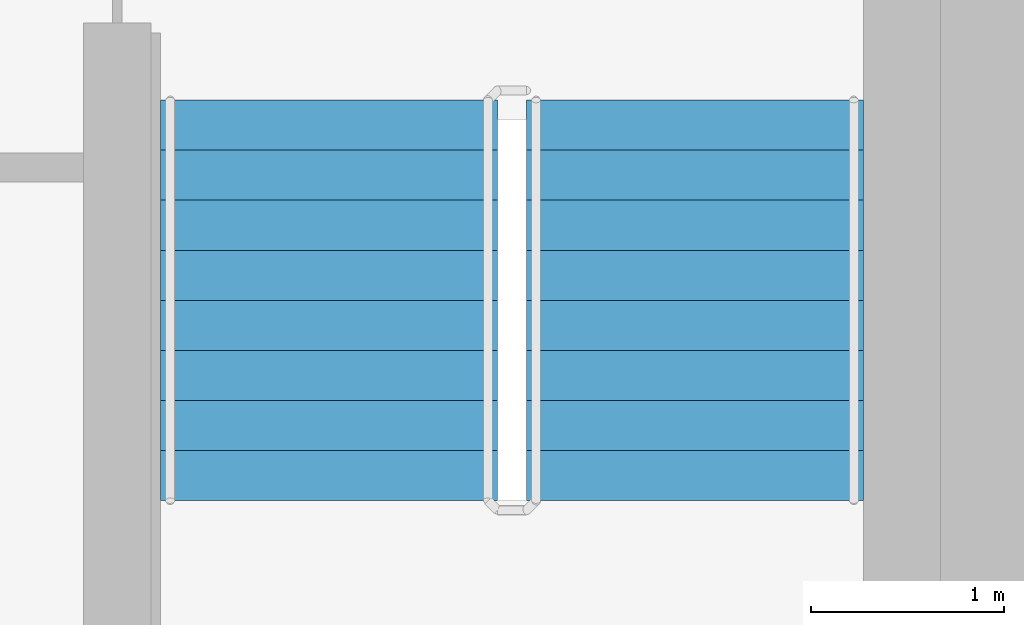
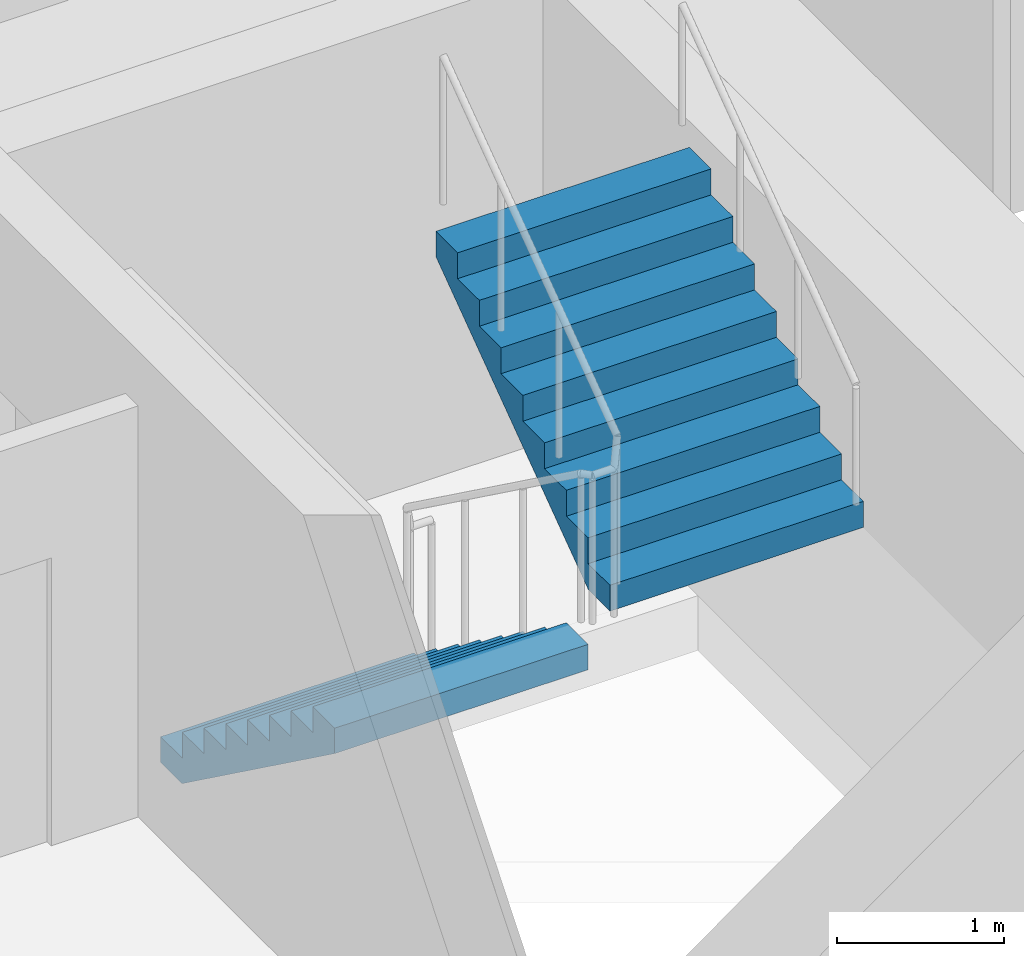
# One storey, part 14 of 18: 2 stair flights, 1 element without a shape of its own.
"""IFC4 building model written with IfcOpenShell, lengths in metres."""

from ifc_helpers import new_model, si_unit, direction, frame, origin, place, context, subcontext, project, spatial, faceted_brep, material, type_object, element, aggregate, save


model = new_model("IFC4")

# Units and contexts
model_context = context("Model", 3, precision=1e-05, world=origin(), true_north=direction((0.0, 1.0)))
body_context = subcontext(model_context, "Body", "Model", "MODEL_VIEW")
ifc_project = project(units=[si_unit("LENGTHUNIT", "METRE"), si_unit("AREAUNIT", "SQUARE_METRE"), si_unit("VOLUMEUNIT", "CUBIC_METRE"), si_unit("PLANEANGLEUNIT", "RADIAN"), si_unit("MASSUNIT", "GRAM", prefix="KILO")], contexts=[model_context])

# Site, building, storey
site_placement = place(None, origin())
site = spatial("IfcSite", under=ifc_project, at=site_placement, CompositionType="ELEMENT")
building_placement = place(site_placement, origin())
building = spatial("IfcBuilding", under=site, at=building_placement, Name="Ipe Terrace Towers", CompositionType="ELEMENT")
storey_placement = place(building_placement, frame((0.0, 0.0, 177.89990234375)))
storey = spatial("IfcBuildingStorey", under=building, at=storey_placement, Name="L49", CompositionType="ELEMENT", Elevation=177.89990234375)

# Stair, stair flights
ifc_material_1 = material(Name="Concrete C30/37", Category="concrete")
stair_type = type_object("IfcStairType", Name="Protected exit stair", PredefinedType="HALF_TURN_STAIR", material=ifc_material_1)
stair_placement = place(storey_placement, origin())
stair = element("IfcStair", 1, at=stair_placement, inside=storey, type_object=stair_type, Name="L49 Exit stair T2-C2", PredefinedType="HALF_TURN_STAIR")
ifc_material_2 = material(Name="Concrete C30/37", Category="concrete")
stair_flight_type = type_object("IfcStairFlightType", Name="Exit stair flight 1750", PredefinedType="STRAIGHT", material=ifc_material_2)
stair_flight_1_placement = place(storey_placement, frame((38.77490234375, -9.699951171875, 0.0), z_axis=(0.0, 0.0, 1.0), x_axis=(0.0, -1.0, 0.0)))
stair_flight_1 = element("IfcStairFlight", 2, at=stair_flight_1_placement, type_object=stair_flight_type, Name="T2-ST2 flight 1", NumberOfRisers=9, NumberOfTreads=8, PredefinedType="STRAIGHT", RiserHeight=0.188888889, TreadLength=0.26, context=body_context, shape_type="Brep", body=[
    faceted_brep([(0.255126953125, -0.875, 0.0), (2.080078125, -0.875, 1.325927734375), (2.080078125, -0.875, 1.51123046875), (1.820068359375, -0.875, 1.51123046875), (1.820068359375, -0.875, 1.322265625), (1.56005859375, -0.875, 1.322265625), (1.56005859375, -0.875, 1.13330078125), (1.300048828125, -0.875, 1.13330078125), (1.300048828125, -0.875, 0.9443359375), (1.0400390625, -0.875, 0.9443359375), (1.0400390625, -0.875, 0.755615234375), (0.780029296875, -0.875, 0.755615234375), (0.780029296875, -0.875, 0.566650390625), (0.52001953125, -0.875, 0.566650390625), (0.52001953125, -0.875, 0.377685546875), (0.260009765625, -0.875, 0.377685546875), (0.260009765625, -0.875, 0.18896484375), (0.0, -0.875, 0.18896484375), (0.0, -0.875, 0.0), (0.0, 0.875, 0.0), (0.0, 0.875, 0.18896484375), (0.260009765625, 0.875, 0.18896484375), (0.260009765625, 0.875, 0.377685546875), (0.52001953125, 0.875, 0.377685546875), (0.52001953125, 0.875, 0.566650390625), (0.780029296875, 0.875, 0.566650390625), (0.780029296875, 0.875, 0.755615234375), (1.0400390625, 0.875, 0.755615234375), (1.0400390625, 0.875, 0.9443359375), (1.300048828125, 0.875, 0.9443359375), (1.300048828125, 0.875, 1.13330078125), (1.56005859375, 0.875, 1.13330078125), (1.56005859375, 0.875, 1.322265625), (1.820068359375, 0.875, 1.322265625), (1.820068359375, 0.875, 1.51123046875), (2.080078125, 0.875, 1.51123046875), (2.080078125, 0.875, 1.325927734375), (0.255126953125, 0.875, 0.0), (0.0, -0.300048828125, 0.18896484375), (0.0, -0.1201171875, 0.18896484375), (0.0, -0.06005859375, 0.18896484375), (0.0, -0.030029296875, 0.18896484375), (0.0, -0.010009765625, 0.18896484375), (0.0, 0.0, 0.18896484375), (0.0, 0.010009765625, 0.18896484375), (0.0, 0.030029296875, 0.18896484375), (0.0, 0.06005859375, 0.18896484375), (0.0, 0.1201171875, 0.18896484375), (0.0, 0.300048828125, 0.18896484375), (0.0, 0.300048828125, 0.0), (0.0, 0.1201171875, 0.0), (0.0, 0.06005859375, 0.0), (0.0, 0.030029296875, 0.0), (0.0, 0.010009765625, 0.0), (0.0, 0.0, 0.0), (0.0, -0.010009765625, 0.0), (0.0, -0.030029296875, 0.0), (0.0, -0.06005859375, 0.0), (0.0, -0.1201171875, 0.0), (0.0, -0.300048828125, 0.0), (0.260009765625, -0.300048828125, 0.18896484375), (0.260009765625, -0.1201171875, 0.18896484375), (0.260009765625, -0.06005859375, 0.18896484375), (0.260009765625, -0.030029296875, 0.18896484375), (0.260009765625, -0.010009765625, 0.18896484375), (0.260009765625, 0.0, 0.18896484375), (0.260009765625, 0.010009765625, 0.18896484375), (0.260009765625, 0.030029296875, 0.18896484375), (0.260009765625, 0.06005859375, 0.18896484375), (0.260009765625, 0.1201171875, 0.18896484375), (0.260009765625, 0.300048828125, 0.18896484375), (0.260009765625, -0.300048828125, 0.377685546875), (0.260009765625, -0.1201171875, 0.377685546875), (0.260009765625, -0.06005859375, 0.377685546875), (0.260009765625, -0.030029296875, 0.377685546875), (0.260009765625, -0.010009765625, 0.377685546875), (0.260009765625, 0.0, 0.377685546875), (0.260009765625, 0.010009765625, 0.377685546875), (0.260009765625, 0.030029296875, 0.377685546875), (0.260009765625, 0.06005859375, 0.377685546875), (0.260009765625, 0.1201171875, 0.377685546875), (0.260009765625, 0.300048828125, 0.377685546875), (0.52001953125, -0.300048828125, 0.377685546875), (0.52001953125, -0.1201171875, 0.377685546875), (0.52001953125, -0.06005859375, 0.377685546875), (0.52001953125, -0.030029296875, 0.377685546875), (0.52001953125, -0.010009765625, 0.377685546875), (0.52001953125, 0.0, 0.377685546875), (0.52001953125, 0.010009765625, 0.377685546875), (0.52001953125, 0.030029296875, 0.377685546875), (0.52001953125, 0.06005859375, 0.377685546875), (0.52001953125, 0.1201171875, 0.377685546875), (0.52001953125, 0.300048828125, 0.377685546875), (0.52001953125, -0.300048828125, 0.566650390625), (0.52001953125, -0.1201171875, 0.566650390625), (0.52001953125, -0.06005859375, 0.566650390625), (0.52001953125, -0.030029296875, 0.566650390625), (0.52001953125, -0.010009765625, 0.566650390625), (0.52001953125, 0.0, 0.566650390625), (0.52001953125, 0.010009765625, 0.566650390625), (0.52001953125, 0.030029296875, 0.566650390625), (0.52001953125, 0.06005859375, 0.566650390625), (0.52001953125, 0.1201171875, 0.566650390625), (0.52001953125, 0.300048828125, 0.566650390625), (0.780029296875, -0.300048828125, 0.566650390625), (0.780029296875, -0.1201171875, 0.566650390625), (0.780029296875, -0.06005859375, 0.566650390625), (0.780029296875, -0.030029296875, 0.566650390625), (0.780029296875, -0.010009765625, 0.566650390625), (0.780029296875, 0.0, 0.566650390625), (0.780029296875, 0.010009765625, 0.566650390625), (0.780029296875, 0.030029296875, 0.566650390625), (0.780029296875, 0.06005859375, 0.566650390625), (0.780029296875, 0.1201171875, 0.566650390625), (0.780029296875, 0.300048828125, 0.566650390625), (0.780029296875, -0.300048828125, 0.755615234375), (0.780029296875, -0.1201171875, 0.755615234375), (0.780029296875, -0.06005859375, 0.755615234375), (0.780029296875, -0.030029296875, 0.755615234375), (0.780029296875, -0.010009765625, 0.755615234375), (0.780029296875, 0.0, 0.755615234375), (0.780029296875, 0.010009765625, 0.755615234375), (0.780029296875, 0.030029296875, 0.755615234375), (0.780029296875, 0.06005859375, 0.755615234375), (0.780029296875, 0.1201171875, 0.755615234375), (0.780029296875, 0.300048828125, 0.755615234375), (1.0400390625, -0.300048828125, 0.755615234375), (1.0400390625, -0.1201171875, 0.755615234375), (1.0400390625, -0.06005859375, 0.755615234375), (1.0400390625, -0.030029296875, 0.755615234375), (1.0400390625, -0.010009765625, 0.755615234375), (1.0400390625, 0.0, 0.755615234375), (1.0400390625, 0.010009765625, 0.755615234375), (1.0400390625, 0.030029296875, 0.755615234375), (1.0400390625, 0.06005859375, 0.755615234375), (1.0400390625, 0.1201171875, 0.755615234375), (1.0400390625, 0.300048828125, 0.755615234375), (1.0400390625, -0.300048828125, 0.9443359375), (1.0400390625, -0.1201171875, 0.9443359375), (1.0400390625, -0.06005859375, 0.9443359375), (1.0400390625, -0.030029296875, 0.9443359375), (1.0400390625, -0.010009765625, 0.9443359375), (1.0400390625, 0.0, 0.9443359375), (1.0400390625, 0.010009765625, 0.9443359375), (1.0400390625, 0.030029296875, 0.9443359375), (1.0400390625, 0.06005859375, 0.9443359375), (1.0400390625, 0.1201171875, 0.9443359375), (1.0400390625, 0.300048828125, 0.9443359375), (1.300048828125, -0.300048828125, 0.9443359375), (1.300048828125, -0.1201171875, 0.9443359375), (1.300048828125, -0.06005859375, 0.9443359375), (1.300048828125, -0.030029296875, 0.9443359375), (1.300048828125, -0.010009765625, 0.9443359375), (1.300048828125, 0.0, 0.9443359375), (1.300048828125, 0.010009765625, 0.9443359375), (1.300048828125, 0.030029296875, 0.9443359375), (1.300048828125, 0.06005859375, 0.9443359375), (1.300048828125, 0.1201171875, 0.9443359375), (1.300048828125, 0.300048828125, 0.9443359375), (1.300048828125, -0.300048828125, 1.13330078125), (1.300048828125, -0.1201171875, 1.13330078125), (1.300048828125, -0.06005859375, 1.13330078125), (1.300048828125, -0.030029296875, 1.13330078125), (1.300048828125, -0.010009765625, 1.13330078125), (1.300048828125, 0.0, 1.13330078125), (1.300048828125, 0.010009765625, 1.13330078125), (1.300048828125, 0.030029296875, 1.13330078125), (1.300048828125, 0.06005859375, 1.13330078125), (1.300048828125, 0.1201171875, 1.13330078125), (1.300048828125, 0.300048828125, 1.13330078125), (1.56005859375, -0.300048828125, 1.13330078125), (1.56005859375, -0.1201171875, 1.13330078125), (1.56005859375, -0.06005859375, 1.13330078125), (1.56005859375, -0.030029296875, 1.13330078125), (1.56005859375, -0.010009765625, 1.13330078125), (1.56005859375, 0.0, 1.13330078125), (1.56005859375, 0.010009765625, 1.13330078125), (1.56005859375, 0.030029296875, 1.13330078125), (1.56005859375, 0.06005859375, 1.13330078125), (1.56005859375, 0.1201171875, 1.13330078125), (1.56005859375, 0.300048828125, 1.13330078125), (1.56005859375, -0.300048828125, 1.322265625), (1.56005859375, -0.1201171875, 1.322265625), (1.56005859375, -0.06005859375, 1.322265625), (1.56005859375, -0.030029296875, 1.322265625), (1.56005859375, -0.010009765625, 1.322265625), (1.56005859375, 0.0, 1.322265625), (1.56005859375, 0.010009765625, 1.322265625), (1.56005859375, 0.030029296875, 1.322265625), (1.56005859375, 0.06005859375, 1.322265625), (1.56005859375, 0.1201171875, 1.322265625), (1.56005859375, 0.300048828125, 1.322265625), (1.820068359375, -0.300048828125, 1.322265625), (1.820068359375, -0.1201171875, 1.322265625), (1.820068359375, -0.06005859375, 1.322265625), (1.820068359375, -0.030029296875, 1.322265625), (1.820068359375, -0.010009765625, 1.322265625), (1.820068359375, 0.0, 1.322265625), (1.820068359375, 0.010009765625, 1.322265625), (1.820068359375, 0.030029296875, 1.322265625), (1.820068359375, 0.06005859375, 1.322265625), (1.820068359375, 0.1201171875, 1.322265625), (1.820068359375, 0.300048828125, 1.322265625), (1.820068359375, -0.300048828125, 1.51123046875), (1.820068359375, -0.1201171875, 1.51123046875), (1.820068359375, -0.06005859375, 1.51123046875), (1.820068359375, -0.030029296875, 1.51123046875), (1.820068359375, -0.010009765625, 1.51123046875), (1.820068359375, 0.0, 1.51123046875), (1.820068359375, 0.010009765625, 1.51123046875), (1.820068359375, 0.030029296875, 1.51123046875), (1.820068359375, 0.06005859375, 1.51123046875), (1.820068359375, 0.1201171875, 1.51123046875), (1.820068359375, 0.300048828125, 1.51123046875), (2.080078125, -0.300048828125, 1.51123046875), (2.080078125, -0.1201171875, 1.51123046875), (2.080078125, -0.06005859375, 1.51123046875), (2.080078125, -0.030029296875, 1.51123046875), (2.080078125, -0.010009765625, 1.51123046875), (2.080078125, 0.0, 1.51123046875), (2.080078125, 0.010009765625, 1.51123046875), (2.080078125, 0.030029296875, 1.51123046875), (2.080078125, 0.06005859375, 1.51123046875), (2.080078125, 0.1201171875, 1.51123046875), (2.080078125, 0.300048828125, 1.51123046875), (2.080078125, -0.300048828125, 1.325927734375), (2.080078125, -0.1201171875, 1.325927734375), (2.080078125, -0.06005859375, 1.325927734375), (2.080078125, -0.030029296875, 1.325927734375), (2.080078125, -0.010009765625, 1.325927734375), (2.080078125, 0.0, 1.325927734375), (2.080078125, 0.010009765625, 1.325927734375), (2.080078125, 0.030029296875, 1.325927734375), (2.080078125, 0.06005859375, 1.325927734375), (2.080078125, 0.1201171875, 1.325927734375), (2.080078125, 0.300048828125, 1.325927734375), (0.255126953125, -0.300048828125, 0.0), (0.255126953125, -0.1201171875, 0.0), (0.255126953125, -0.06005859375, 0.0), (0.255126953125, -0.030029296875, 0.0), (0.255126953125, -0.010009765625, 0.0), (0.255126953125, 0.0, 0.0), (0.255126953125, 0.010009765625, 0.0), (0.255126953125, 0.030029296875, 0.0), (0.255126953125, 0.06005859375, 0.0), (0.255126953125, 0.1201171875, 0.0), (0.255126953125, 0.300048828125, 0.0)], [[[0, 1, 2, 3, 4, 5, 6, 7, 8, 9, 10, 11, 12, 13, 14, 15, 16, 17, 18]], [[19, 20, 21, 22, 23, 24, 25, 26, 27, 28, 29, 30, 31, 32, 33, 34, 35, 36, 37]], [[17, 38, 39, 40, 41, 42, 43, 44, 45, 46, 47, 48, 20, 19, 49, 50, 51, 52, 53, 54, 55, 56, 57, 58, 59, 18]], [[16, 60, 61, 62, 63, 64, 65, 66, 67, 68, 69, 70, 21, 20, 48, 47, 46, 45, 44, 43, 42, 41, 40, 39, 38, 17]], [[15, 71, 72, 73, 74, 75, 76, 77, 78, 79, 80, 81, 22, 21, 70, 69, 68, 67, 66, 65, 64, 63, 62, 61, 60, 16]], [[14, 82, 83, 84, 85, 86, 87, 88, 89, 90, 91, 92, 23, 22, 81, 80, 79, 78, 77, 76, 75, 74, 73, 72, 71, 15]], [[13, 93, 94, 95, 96, 97, 98, 99, 100, 101, 102, 103, 24, 23, 92, 91, 90, 89, 88, 87, 86, 85, 84, 83, 82, 14]], [[12, 104, 105, 106, 107, 108, 109, 110, 111, 112, 113, 114, 25, 24, 103, 102, 101, 100, 99, 98, 97, 96, 95, 94, 93, 13]], [[11, 115, 116, 117, 118, 119, 120, 121, 122, 123, 124, 125, 26, 25, 114, 113, 112, 111, 110, 109, 108, 107, 106, 105, 104, 12]], [[10, 126, 127, 128, 129, 130, 131, 132, 133, 134, 135, 136, 27, 26, 125, 124, 123, 122, 121, 120, 119, 118, 117, 116, 115, 11]], [[9, 137, 138, 139, 140, 141, 142, 143, 144, 145, 146, 147, 28, 27, 136, 135, 134, 133, 132, 131, 130, 129, 128, 127, 126, 10]], [[8, 148, 149, 150, 151, 152, 153, 154, 155, 156, 157, 158, 29, 28, 147, 146, 145, 144, 143, 142, 141, 140, 139, 138, 137, 9]], [[7, 159, 160, 161, 162, 163, 164, 165, 166, 167, 168, 169, 30, 29, 158, 157, 156, 155, 154, 153, 152, 151, 150, 149, 148, 8]], [[6, 170, 171, 172, 173, 174, 175, 176, 177, 178, 179, 180, 31, 30, 169, 168, 167, 166, 165, 164, 163, 162, 161, 160, 159, 7]], [[5, 181, 182, 183, 184, 185, 186, 187, 188, 189, 190, 191, 32, 31, 180, 179, 178, 177, 176, 175, 174, 173, 172, 171, 170, 6]], [[4, 192, 193, 194, 195, 196, 197, 198, 199, 200, 201, 202, 33, 32, 191, 190, 189, 188, 187, 186, 185, 184, 183, 182, 181, 5]], [[3, 203, 204, 205, 206, 207, 208, 209, 210, 211, 212, 213, 34, 33, 202, 201, 200, 199, 198, 197, 196, 195, 194, 193, 192, 4]], [[2, 214, 215, 216, 217, 218, 219, 220, 221, 222, 223, 224, 35, 34, 213, 212, 211, 210, 209, 208, 207, 206, 205, 204, 203, 3]], [[1, 225, 226, 227, 228, 229, 230, 231, 232, 233, 234, 235, 36, 35, 224, 223, 222, 221, 220, 219, 218, 217, 216, 215, 214, 2]], [[0, 236, 237, 238, 239, 240, 241, 242, 243, 244, 245, 246, 37, 36, 235, 234, 233, 232, 231, 230, 229, 228, 227, 226, 225, 1]], [[18, 59, 58, 57, 56, 55, 54, 53, 52, 51, 50, 49, 19, 37, 246, 245, 244, 243, 242, 241, 240, 239, 238, 237, 236, 0]]]),
])
stair_flight_2_placement = place(storey_placement, frame((40.675048828125, -11.780029296875, 1.7001953125), z_axis=(0.0, 0.0, 1.0), x_axis=(0.0, 1.0, 0.0)))
stair_flight_2 = element("IfcStairFlight", 3, at=stair_flight_2_placement, type_object=stair_flight_type, Name="T2-ST2 flight 2", NumberOfRisers=9, NumberOfTreads=8, PredefinedType="STRAIGHT", RiserHeight=0.188888889, TreadLength=0.26, context=body_context, shape_type="Brep", body=[
    faceted_brep([(0.255126953125, -0.875, 0.0), (2.080078125, -0.875, 1.325927734375), (2.080078125, -0.875, 1.51123046875), (1.820068359375, -0.875, 1.51123046875), (1.820068359375, -0.875, 1.322265625), (1.56005859375, -0.875, 1.322265625), (1.56005859375, -0.875, 1.13330078125), (1.300048828125, -0.875, 1.13330078125), (1.300048828125, -0.875, 0.9443359375), (1.0400390625, -0.875, 0.9443359375), (1.0400390625, -0.875, 0.755615234375), (0.780029296875, -0.875, 0.755615234375), (0.780029296875, -0.875, 0.566650390625), (0.52001953125, -0.875, 0.566650390625), (0.52001953125, -0.875, 0.377685546875), (0.260009765625, -0.875, 0.377685546875), (0.260009765625, -0.875, 0.18896484375), (0.0, -0.875, 0.18896484375), (0.0, -0.875, 0.0), (0.0, 0.875, 0.0), (0.0, 0.875, 0.18896484375), (0.260009765625, 0.875, 0.18896484375), (0.260009765625, 0.875, 0.377685546875), (0.52001953125, 0.875, 0.377685546875), (0.52001953125, 0.875, 0.566650390625), (0.780029296875, 0.875, 0.566650390625), (0.780029296875, 0.875, 0.755615234375), (1.0400390625, 0.875, 0.755615234375), (1.0400390625, 0.875, 0.9443359375), (1.300048828125, 0.875, 0.9443359375), (1.300048828125, 0.875, 1.13330078125), (1.56005859375, 0.875, 1.13330078125), (1.56005859375, 0.875, 1.322265625), (1.820068359375, 0.875, 1.322265625), (1.820068359375, 0.875, 1.51123046875), (2.080078125, 0.875, 1.51123046875), (2.080078125, 0.875, 1.325927734375), (0.255126953125, 0.875, 0.0), (0.0, -0.300048828125, 0.18896484375), (0.0, -0.1201171875, 0.18896484375), (0.0, -0.06005859375, 0.18896484375), (0.0, -0.030029296875, 0.18896484375), (0.0, -0.010009765625, 0.18896484375), (0.0, 0.0, 0.18896484375), (0.0, 0.010009765625, 0.18896484375), (0.0, 0.030029296875, 0.18896484375), (0.0, 0.06005859375, 0.18896484375), (0.0, 0.1201171875, 0.18896484375), (0.0, 0.300048828125, 0.18896484375), (0.0, 0.300048828125, 0.0), (0.0, 0.1201171875, 0.0), (0.0, 0.06005859375, 0.0), (0.0, 0.030029296875, 0.0), (0.0, 0.010009765625, 0.0), (0.0, 0.0, 0.0), (0.0, -0.010009765625, 0.0), (0.0, -0.030029296875, 0.0), (0.0, -0.06005859375, 0.0), (0.0, -0.1201171875, 0.0), (0.0, -0.300048828125, 0.0), (0.260009765625, -0.300048828125, 0.18896484375), (0.260009765625, -0.1201171875, 0.18896484375), (0.260009765625, -0.06005859375, 0.18896484375), (0.260009765625, -0.030029296875, 0.18896484375), (0.260009765625, -0.010009765625, 0.18896484375), (0.260009765625, 0.0, 0.18896484375), (0.260009765625, 0.010009765625, 0.18896484375), (0.260009765625, 0.030029296875, 0.18896484375), (0.260009765625, 0.06005859375, 0.18896484375), (0.260009765625, 0.1201171875, 0.18896484375), (0.260009765625, 0.300048828125, 0.18896484375), (0.260009765625, -0.300048828125, 0.377685546875), (0.260009765625, -0.1201171875, 0.377685546875), (0.260009765625, -0.06005859375, 0.377685546875), (0.260009765625, -0.030029296875, 0.377685546875), (0.260009765625, -0.010009765625, 0.377685546875), (0.260009765625, 0.0, 0.377685546875), (0.260009765625, 0.010009765625, 0.377685546875), (0.260009765625, 0.030029296875, 0.377685546875), (0.260009765625, 0.06005859375, 0.377685546875), (0.260009765625, 0.1201171875, 0.377685546875), (0.260009765625, 0.300048828125, 0.377685546875), (0.52001953125, -0.300048828125, 0.377685546875), (0.52001953125, -0.1201171875, 0.377685546875), (0.52001953125, -0.06005859375, 0.377685546875), (0.52001953125, -0.030029296875, 0.377685546875), (0.52001953125, -0.010009765625, 0.377685546875), (0.52001953125, 0.0, 0.377685546875), (0.52001953125, 0.010009765625, 0.377685546875), (0.52001953125, 0.030029296875, 0.377685546875), (0.52001953125, 0.06005859375, 0.377685546875), (0.52001953125, 0.1201171875, 0.377685546875), (0.52001953125, 0.300048828125, 0.377685546875), (0.52001953125, -0.300048828125, 0.566650390625), (0.52001953125, -0.1201171875, 0.566650390625), (0.52001953125, -0.06005859375, 0.566650390625), (0.52001953125, -0.030029296875, 0.566650390625), (0.52001953125, -0.010009765625, 0.566650390625), (0.52001953125, 0.0, 0.566650390625), (0.52001953125, 0.010009765625, 0.566650390625), (0.52001953125, 0.030029296875, 0.566650390625), (0.52001953125, 0.06005859375, 0.566650390625), (0.52001953125, 0.1201171875, 0.566650390625), (0.52001953125, 0.300048828125, 0.566650390625), (0.780029296875, -0.300048828125, 0.566650390625), (0.780029296875, -0.1201171875, 0.566650390625), (0.780029296875, -0.06005859375, 0.566650390625), (0.780029296875, -0.030029296875, 0.566650390625), (0.780029296875, -0.010009765625, 0.566650390625), (0.780029296875, 0.0, 0.566650390625), (0.780029296875, 0.010009765625, 0.566650390625), (0.780029296875, 0.030029296875, 0.566650390625), (0.780029296875, 0.06005859375, 0.566650390625), (0.780029296875, 0.1201171875, 0.566650390625), (0.780029296875, 0.300048828125, 0.566650390625), (0.780029296875, -0.300048828125, 0.755615234375), (0.780029296875, -0.1201171875, 0.755615234375), (0.780029296875, -0.06005859375, 0.755615234375), (0.780029296875, -0.030029296875, 0.755615234375), (0.780029296875, -0.010009765625, 0.755615234375), (0.780029296875, 0.0, 0.755615234375), (0.780029296875, 0.010009765625, 0.755615234375), (0.780029296875, 0.030029296875, 0.755615234375), (0.780029296875, 0.06005859375, 0.755615234375), (0.780029296875, 0.1201171875, 0.755615234375), (0.780029296875, 0.300048828125, 0.755615234375), (1.0400390625, -0.300048828125, 0.755615234375), (1.0400390625, -0.1201171875, 0.755615234375), (1.0400390625, -0.06005859375, 0.755615234375), (1.0400390625, -0.030029296875, 0.755615234375), (1.0400390625, -0.010009765625, 0.755615234375), (1.0400390625, 0.0, 0.755615234375), (1.0400390625, 0.010009765625, 0.755615234375), (1.0400390625, 0.030029296875, 0.755615234375), (1.0400390625, 0.06005859375, 0.755615234375), (1.0400390625, 0.1201171875, 0.755615234375), (1.0400390625, 0.300048828125, 0.755615234375), (1.0400390625, -0.300048828125, 0.9443359375), (1.0400390625, -0.1201171875, 0.9443359375), (1.0400390625, -0.06005859375, 0.9443359375), (1.0400390625, -0.030029296875, 0.9443359375), (1.0400390625, -0.010009765625, 0.9443359375), (1.0400390625, 0.0, 0.9443359375), (1.0400390625, 0.010009765625, 0.9443359375), (1.0400390625, 0.030029296875, 0.9443359375), (1.0400390625, 0.06005859375, 0.9443359375), (1.0400390625, 0.1201171875, 0.9443359375), (1.0400390625, 0.300048828125, 0.9443359375), (1.300048828125, -0.300048828125, 0.9443359375), (1.300048828125, -0.1201171875, 0.9443359375), (1.300048828125, -0.06005859375, 0.9443359375), (1.300048828125, -0.030029296875, 0.9443359375), (1.300048828125, -0.010009765625, 0.9443359375), (1.300048828125, 0.0, 0.9443359375), (1.300048828125, 0.010009765625, 0.9443359375), (1.300048828125, 0.030029296875, 0.9443359375), (1.300048828125, 0.06005859375, 0.9443359375), (1.300048828125, 0.1201171875, 0.9443359375), (1.300048828125, 0.300048828125, 0.9443359375), (1.300048828125, -0.300048828125, 1.13330078125), (1.300048828125, -0.1201171875, 1.13330078125), (1.300048828125, -0.06005859375, 1.13330078125), (1.300048828125, -0.030029296875, 1.13330078125), (1.300048828125, -0.010009765625, 1.13330078125), (1.300048828125, 0.0, 1.13330078125), (1.300048828125, 0.010009765625, 1.13330078125), (1.300048828125, 0.030029296875, 1.13330078125), (1.300048828125, 0.06005859375, 1.13330078125), (1.300048828125, 0.1201171875, 1.13330078125), (1.300048828125, 0.300048828125, 1.13330078125), (1.56005859375, -0.300048828125, 1.13330078125), (1.56005859375, -0.1201171875, 1.13330078125), (1.56005859375, -0.06005859375, 1.13330078125), (1.56005859375, -0.030029296875, 1.13330078125), (1.56005859375, -0.010009765625, 1.13330078125), (1.56005859375, 0.0, 1.13330078125), (1.56005859375, 0.010009765625, 1.13330078125), (1.56005859375, 0.030029296875, 1.13330078125), (1.56005859375, 0.06005859375, 1.13330078125), (1.56005859375, 0.1201171875, 1.13330078125), (1.56005859375, 0.300048828125, 1.13330078125), (1.56005859375, -0.300048828125, 1.322265625), (1.56005859375, -0.1201171875, 1.322265625), (1.56005859375, -0.06005859375, 1.322265625), (1.56005859375, -0.030029296875, 1.322265625), (1.56005859375, -0.010009765625, 1.322265625), (1.56005859375, 0.0, 1.322265625), (1.56005859375, 0.010009765625, 1.322265625), (1.56005859375, 0.030029296875, 1.322265625), (1.56005859375, 0.06005859375, 1.322265625), (1.56005859375, 0.1201171875, 1.322265625), (1.56005859375, 0.300048828125, 1.322265625), (1.820068359375, -0.300048828125, 1.322265625), (1.820068359375, -0.1201171875, 1.322265625), (1.820068359375, -0.06005859375, 1.322265625), (1.820068359375, -0.030029296875, 1.322265625), (1.820068359375, -0.010009765625, 1.322265625), (1.820068359375, 0.0, 1.322265625), (1.820068359375, 0.010009765625, 1.322265625), (1.820068359375, 0.030029296875, 1.322265625), (1.820068359375, 0.06005859375, 1.322265625), (1.820068359375, 0.1201171875, 1.322265625), (1.820068359375, 0.300048828125, 1.322265625), (1.820068359375, -0.300048828125, 1.51123046875), (1.820068359375, -0.1201171875, 1.51123046875), (1.820068359375, -0.06005859375, 1.51123046875), (1.820068359375, -0.030029296875, 1.51123046875), (1.820068359375, -0.010009765625, 1.51123046875), (1.820068359375, 0.0, 1.51123046875), (1.820068359375, 0.010009765625, 1.51123046875), (1.820068359375, 0.030029296875, 1.51123046875), (1.820068359375, 0.06005859375, 1.51123046875), (1.820068359375, 0.1201171875, 1.51123046875), (1.820068359375, 0.300048828125, 1.51123046875), (2.080078125, -0.300048828125, 1.51123046875), (2.080078125, -0.1201171875, 1.51123046875), (2.080078125, -0.06005859375, 1.51123046875), (2.080078125, -0.030029296875, 1.51123046875), (2.080078125, -0.010009765625, 1.51123046875), (2.080078125, 0.0, 1.51123046875), (2.080078125, 0.010009765625, 1.51123046875), (2.080078125, 0.030029296875, 1.51123046875), (2.080078125, 0.06005859375, 1.51123046875), (2.080078125, 0.1201171875, 1.51123046875), (2.080078125, 0.300048828125, 1.51123046875), (2.080078125, -0.300048828125, 1.325927734375), (2.080078125, -0.1201171875, 1.325927734375), (2.080078125, -0.06005859375, 1.325927734375), (2.080078125, -0.030029296875, 1.325927734375), (2.080078125, -0.010009765625, 1.325927734375), (2.080078125, 0.0, 1.325927734375), (2.080078125, 0.010009765625, 1.325927734375), (2.080078125, 0.030029296875, 1.325927734375), (2.080078125, 0.06005859375, 1.325927734375), (2.080078125, 0.1201171875, 1.325927734375), (2.080078125, 0.300048828125, 1.325927734375), (0.255126953125, -0.300048828125, 0.0), (0.255126953125, -0.1201171875, 0.0), (0.255126953125, -0.06005859375, 0.0), (0.255126953125, -0.030029296875, 0.0), (0.255126953125, -0.010009765625, 0.0), (0.255126953125, 0.0, 0.0), (0.255126953125, 0.010009765625, 0.0), (0.255126953125, 0.030029296875, 0.0), (0.255126953125, 0.06005859375, 0.0), (0.255126953125, 0.1201171875, 0.0), (0.255126953125, 0.300048828125, 0.0)], [[[0, 1, 2, 3, 4, 5, 6, 7, 8, 9, 10, 11, 12, 13, 14, 15, 16, 17, 18]], [[19, 20, 21, 22, 23, 24, 25, 26, 27, 28, 29, 30, 31, 32, 33, 34, 35, 36, 37]], [[17, 38, 39, 40, 41, 42, 43, 44, 45, 46, 47, 48, 20, 19, 49, 50, 51, 52, 53, 54, 55, 56, 57, 58, 59, 18]], [[16, 60, 61, 62, 63, 64, 65, 66, 67, 68, 69, 70, 21, 20, 48, 47, 46, 45, 44, 43, 42, 41, 40, 39, 38, 17]], [[15, 71, 72, 73, 74, 75, 76, 77, 78, 79, 80, 81, 22, 21, 70, 69, 68, 67, 66, 65, 64, 63, 62, 61, 60, 16]], [[14, 82, 83, 84, 85, 86, 87, 88, 89, 90, 91, 92, 23, 22, 81, 80, 79, 78, 77, 76, 75, 74, 73, 72, 71, 15]], [[13, 93, 94, 95, 96, 97, 98, 99, 100, 101, 102, 103, 24, 23, 92, 91, 90, 89, 88, 87, 86, 85, 84, 83, 82, 14]], [[12, 104, 105, 106, 107, 108, 109, 110, 111, 112, 113, 114, 25, 24, 103, 102, 101, 100, 99, 98, 97, 96, 95, 94, 93, 13]], [[11, 115, 116, 117, 118, 119, 120, 121, 122, 123, 124, 125, 26, 25, 114, 113, 112, 111, 110, 109, 108, 107, 106, 105, 104, 12]], [[10, 126, 127, 128, 129, 130, 131, 132, 133, 134, 135, 136, 27, 26, 125, 124, 123, 122, 121, 120, 119, 118, 117, 116, 115, 11]], [[9, 137, 138, 139, 140, 141, 142, 143, 144, 145, 146, 147, 28, 27, 136, 135, 134, 133, 132, 131, 130, 129, 128, 127, 126, 10]], [[8, 148, 149, 150, 151, 152, 153, 154, 155, 156, 157, 158, 29, 28, 147, 146, 145, 144, 143, 142, 141, 140, 139, 138, 137, 9]], [[7, 159, 160, 161, 162, 163, 164, 165, 166, 167, 168, 169, 30, 29, 158, 157, 156, 155, 154, 153, 152, 151, 150, 149, 148, 8]], [[6, 170, 171, 172, 173, 174, 175, 176, 177, 178, 179, 180, 31, 30, 169, 168, 167, 166, 165, 164, 163, 162, 161, 160, 159, 7]], [[5, 181, 182, 183, 184, 185, 186, 187, 188, 189, 190, 191, 32, 31, 180, 179, 178, 177, 176, 175, 174, 173, 172, 171, 170, 6]], [[4, 192, 193, 194, 195, 196, 197, 198, 199, 200, 201, 202, 33, 32, 191, 190, 189, 188, 187, 186, 185, 184, 183, 182, 181, 5]], [[3, 203, 204, 205, 206, 207, 208, 209, 210, 211, 212, 213, 34, 33, 202, 201, 200, 199, 198, 197, 196, 195, 194, 193, 192, 4]], [[2, 214, 215, 216, 217, 218, 219, 220, 221, 222, 223, 224, 35, 34, 213, 212, 211, 210, 209, 208, 207, 206, 205, 204, 203, 3]], [[1, 225, 226, 227, 228, 229, 230, 231, 232, 233, 234, 235, 36, 35, 224, 223, 222, 221, 220, 219, 218, 217, 216, 215, 214, 2]], [[0, 236, 237, 238, 239, 240, 241, 242, 243, 244, 245, 246, 37, 36, 235, 234, 233, 232, 231, 230, 229, 228, 227, 226, 225, 1]], [[18, 59, 58, 57, 56, 55, 54, 53, 52, 51, 50, 49, 19, 37, 246, 245, 244, 243, 242, 241, 240, 239, 238, 237, 236, 0]]]),
])
aggregate(stair, [stair_flight_1, stair_flight_2])

save(model, "model.ifc")
